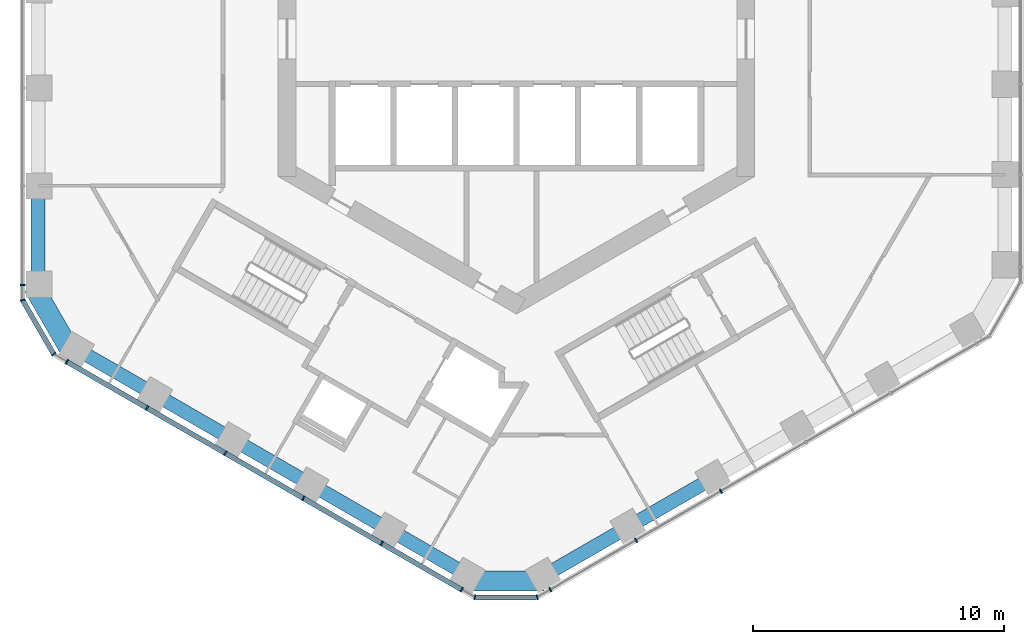
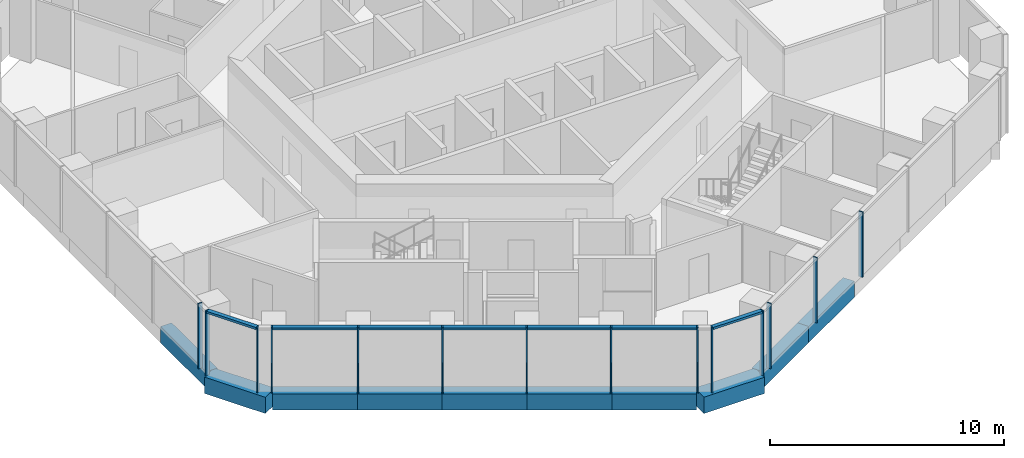
# One storey, part 2 of 19: 17 members, 10 beams, 5 elements without a shape of their own.
"""IFC4 building model written with IfcOpenShell, lengths in metres."""

from ifc_helpers import new_model, si_unit, direction, frame, origin, origin_2d, place, context, subcontext, project, spatial, rectangle, extrude, material, layer, layer_set, material_profile, profile_set, type_object, element, aggregate, save


model = new_model("IFC4")

# Units and contexts
model_context = context("Model", 3, precision=1e-05, world=origin(), true_north=direction((0.0, 1.0)))
body_context = subcontext(model_context, "Body", "Model", "MODEL_VIEW")
ifc_project = project(units=[si_unit("LENGTHUNIT", "METRE"), si_unit("AREAUNIT", "SQUARE_METRE"), si_unit("VOLUMEUNIT", "CUBIC_METRE"), si_unit("PLANEANGLEUNIT", "RADIAN"), si_unit("MASSUNIT", "GRAM", prefix="KILO")], contexts=[model_context])

# Site, building, storey
site_placement = place(None, origin())
site = spatial("IfcSite", under=ifc_project, at=site_placement, CompositionType="ELEMENT")
building_placement = place(site_placement, origin())
building = spatial("IfcBuilding", under=site, at=building_placement, Name="Ayvan Gate Tower", CompositionType="ELEMENT")
storey_placement = place(building_placement, frame((0.0, 0.0, 106.89990234375)))
storey = spatial("IfcBuildingStorey", under=building, at=storey_placement, Name="L28", CompositionType="ELEMENT", Elevation=106.89990234375)

# Beams
ifc_material_1 = material(Name="Concrete C40/50", Category="concrete")
ifc_material_profile_1 = material_profile(ifc_material_1, rectangle(XDim=0.800048828125, YDim=0.85009765625, at=origin_2d()), Name="RC 800x850")
ifc_profile_set_1 = profile_set([ifc_material_profile_1], Name="Concrete C40/50")
beam_type_1 = type_object("IfcBeamType", Name="Corner spandrel beam RC 800x850 C40/50", PredefinedType="BEAM", material=ifc_profile_set_1)
beam_1_placement = place(storey_placement, frame((-19.274169921875, -9.860107421875, -0.77490234375), z_axis=(0.50002537861, -0.866010750942, 0.0), x_axis=(0.866010750942, 0.50002537861, 0.0)))
element("IfcBeam", 1, at=beam_1_placement, inside=storey, type_object=beam_type_1, Name="SB-L28-24", PredefinedType="BEAM", context=body_context, shape_type="SweptSolid", body=[
    extrude(rectangle(XDim=0.800048828125, YDim=0.85009765625, at=origin_2d()), origin(), (0.0, 0.0, 1.0), 2.999755859375),
])
beam_2_placement = place(storey_placement, frame((-1.90185546875, -21.621826171875, -0.77490234375), z_axis=(1.0, 0.0, 0.0), x_axis=(0.0, 1.0, 0.0)))
element("IfcBeam", 2, at=beam_2_placement, inside=storey, type_object=beam_type_1, Name="SB-L28-30", PredefinedType="BEAM", context=body_context, shape_type="SweptSolid", body=[
    extrude(rectangle(XDim=0.800048828125, YDim=0.85009765625, at=origin_2d()), origin(), (0.0, 0.0, 1.0), 3.0),
])
ifc_material_profile_2 = material_profile(ifc_material_1, rectangle(XDim=0.550048828125, YDim=0.85009765625, at=origin_2d()), Name="RC 550x850")
ifc_profile_set_2 = profile_set([ifc_material_profile_2], Name="Concrete C40/50")
beam_type_2 = type_object("IfcBeamType", Name="Spandrel beam RC 550x850 C40/50", PredefinedType="BEAM", material=ifc_profile_set_2)
beam_3_placement = place(storey_placement, frame((-19.083740234375, -5.85009765625, -0.77490234375), z_axis=(0.0, -1.0, 0.0), x_axis=(1.0, 0.0, 0.0)))
element("IfcBeam", 3, at=beam_3_placement, inside=storey, type_object=beam_type_2, Name="SB-L28-23", PredefinedType="BEAM", context=body_context, shape_type="SweptSolid", body=[
    extrude(rectangle(XDim=0.550048828125, YDim=0.85009765625, at=origin_2d()), origin(), (0.0, 0.0, 1.0), 3.89990234375),
])
beam_4_placement = place(storey_placement, frame((-17.583740234375, -12.34814453125, -0.77490234375), z_axis=(0.866031793627, -0.499988932305, 0.0), x_axis=(0.499988932305, 0.866031793627, 0.0)))
element("IfcBeam", 4, at=beam_4_placement, inside=storey, type_object=beam_type_2, Name="SB-L28-25", PredefinedType="BEAM", context=body_context, shape_type="SweptSolid", body=[
    extrude(rectangle(XDim=0.550048828125, YDim=0.85009765625, at=origin_2d()), origin(), (0.0, 0.0, 1.0), 3.62158203125),
])
beam_5_placement = place(storey_placement, frame((-14.447265625, -14.158935546875, -0.77490234375), z_axis=(0.866014940095, -0.500018123204, 0.0), x_axis=(0.500018123204, 0.866014940095, 0.0)))
element("IfcBeam", 5, at=beam_5_placement, inside=storey, type_object=beam_type_2, Name="SB-L28-26", PredefinedType="BEAM", context=body_context, shape_type="SweptSolid", body=[
    extrude(rectangle(XDim=0.550048828125, YDim=0.85009765625, at=origin_2d()), origin(), (0.0, 0.0, 1.0), 3.621337890625),
])
beam_6_placement = place(storey_placement, frame((-11.31103515625, -15.9697265625, -0.77490234375), z_axis=(0.866060982613, -0.499938370597, 0.0), x_axis=(0.499938370597, 0.866060982613, 0.0)))
element("IfcBeam", 6, at=beam_6_placement, inside=storey, type_object=beam_type_2, Name="SB-L28-27", PredefinedType="BEAM", context=body_context, shape_type="SweptSolid", body=[
    extrude(rectangle(XDim=0.550048828125, YDim=0.85009765625, at=origin_2d()), origin(), (0.0, 0.0, 1.0), 3.62158203125),
])
beam_7_placement = place(storey_placement, frame((-8.174560546875, -17.7802734375, -0.77490234375), z_axis=(0.866014940095, -0.500018123204, 0.0), x_axis=(0.500018123204, 0.866014940095, 0.0)))
element("IfcBeam", 7, at=beam_7_placement, inside=storey, type_object=beam_type_2, Name="SB-L28-28", PredefinedType="BEAM", context=body_context, shape_type="SweptSolid", body=[
    extrude(rectangle(XDim=0.550048828125, YDim=0.85009765625, at=origin_2d()), origin(), (0.0, 0.0, 1.0), 3.621337890625),
])
beam_8_placement = place(storey_placement, frame((-5.038330078125, -19.591064453125, -0.77490234375), z_axis=(0.866031793627, -0.499988932305, 0.0), x_axis=(0.499988932305, 0.866031793627, 0.0)))
element("IfcBeam", 8, at=beam_8_placement, inside=storey, type_object=beam_type_2, Name="SB-L28-29", PredefinedType="BEAM", context=body_context, shape_type="SweptSolid", body=[
    extrude(rectangle(XDim=0.550048828125, YDim=0.85009765625, at=origin_2d()), origin(), (0.0, 0.0, 1.0), 3.62158203125),
])
for number, where, z_axis, x_axis, name in (
    (9, (1.09814453125, -21.40185546875, -0.77490234375), (0.866027128446, 0.499997012787, 0.0), (-0.499997012787, 0.866027128446, 0.0), "SB-L28-31"),
    (10, (4.4755859375, -19.451904296875, -0.77490234375), (0.866027128446, 0.499997012787, 0.0), (-0.499997012787, 0.866027128446, 0.0), "SB-L28-32"),
):
    element("IfcBeam", number, at=place(storey_placement, frame(where, z_axis=z_axis, x_axis=x_axis)), inside=storey, type_object=beam_type_2, Name=name, PredefinedType="BEAM", context=body_context, shape_type="SweptSolid", body=[
        extrude(rectangle(XDim=0.550048828125, YDim=0.85009765625, at=origin_2d()), origin(), (0.0, 0.0, 1.0), 3.89990234375),
    ])

# Curtain wall, member
ifc_material_2 = material(Name="Bronze anodised aluminium", Category="aluminium")
ifc_layer_1 = layer(ifc_material_2, 0.199951171875)
ifc_layer_set_1 = layer_set([ifc_layer_1], Name="Bronze anodised aluminium")
curtain_wall_type_1 = type_object("IfcCurtainWallType", Name="Stick curtain wall CW-1", PredefinedType="NOTDEFINED", material=ifc_layer_set_1)
curtain_wall_1_placement = place(storey_placement, origin())
curtain_wall_1 = element("IfcCurtainWall", 11, at=curtain_wall_1_placement, inside=storey, type_object=curtain_wall_type_1, Name="Stick curtain wall CW-1 L28", PredefinedType="NOTDEFINED")
ifc_material_profile_3 = material_profile(ifc_material_2, rectangle(XDim=0.199951171875, YDim=0.06005859375, at=origin_2d()), Name="Stick curtain wall CW-1 mullion 200 x 60")
ifc_profile_set_3 = profile_set([ifc_material_profile_3], Name="Bronze anodised aluminium")
member_type_1 = type_object("IfcMemberType", Name="Stick curtain wall CW-1 mullion 200 x 60", PredefinedType="MULLION", material=ifc_profile_set_3)
member_1_placement = place(storey_placement, frame((-19.695068359375, -9.81005859375, 0.0), z_axis=(0.0, 0.0, 1.0), x_axis=(-1.0, 0.0, 0.0)))
member_1 = element("IfcMember", 12, at=member_1_placement, type_object=member_type_1, Name="CW-1 mullion 6", PredefinedType="MULLION", context=body_context, shape_type="SweptSolid", body=[
    extrude(rectangle(XDim=0.199951171875, YDim=0.06005859375, at=origin_2d()), origin(), (0.0, 0.0, 1.0), 3.400146484375),
])
aggregate(curtain_wall_1, [member_1])

# Curtain wall, members
curtain_wall_2_placement = place(storey_placement, origin())
curtain_wall_2 = element("IfcCurtainWall", 13, at=curtain_wall_2_placement, inside=storey, type_object=curtain_wall_type_1, Name="Stick curtain wall CW-1 L28", PredefinedType="NOTDEFINED")
member_2_placement = place(storey_placement, frame((-17.927978515625, -12.87109375, 0.0), z_axis=(0.0, 0.0, 1.0), x_axis=(-0.5, -0.866025403784, 0.0)))
member_2 = element("IfcMember", 14, at=member_2_placement, type_object=member_type_1, Name="CW-1 mullion 1", PredefinedType="MULLION", context=body_context, shape_type="SweptSolid", body=[
    extrude(rectangle(XDim=0.199951171875, YDim=0.06005859375, at=origin_2d()), origin(), (0.0, 0.0, 1.0), 3.400146484375),
])
member_3_placement = place(storey_placement, frame((-14.734130859375, -14.715087890625, 0.0), z_axis=(0.0, 0.0, 1.0), x_axis=(-0.5, -0.866025403784, 0.0)))
member_3 = element("IfcMember", 15, at=member_3_placement, type_object=member_type_1, Name="CW-1 mullion 2", PredefinedType="MULLION", context=body_context, shape_type="SweptSolid", body=[
    extrude(rectangle(XDim=0.199951171875, YDim=0.06005859375, at=origin_2d()), origin(), (0.0, 0.0, 1.0), 3.400146484375),
])
member_4_placement = place(storey_placement, frame((-11.614501953125, -16.51611328125, 0.0), z_axis=(0.0, 0.0, 1.0), x_axis=(-0.5, -0.866025403784, 0.0)))
member_4 = element("IfcMember", 16, at=member_4_placement, type_object=member_type_1, Name="CW-1 mullion 3", PredefinedType="MULLION", context=body_context, shape_type="SweptSolid", body=[
    extrude(rectangle(XDim=0.199951171875, YDim=0.06005859375, at=origin_2d()), origin(), (0.0, 0.0, 1.0), 3.400146484375),
])
member_5_placement = place(storey_placement, frame((-8.49609375, -18.31640625, 0.0), z_axis=(0.0, 0.0, 1.0), x_axis=(-0.5, -0.866025403784, 0.0)))
member_5 = element("IfcMember", 17, at=member_5_placement, type_object=member_type_1, Name="CW-1 mullion 4", PredefinedType="MULLION", context=body_context, shape_type="SweptSolid", body=[
    extrude(rectangle(XDim=0.199951171875, YDim=0.06005859375, at=origin_2d()), origin(), (0.0, 0.0, 1.0), 3.400146484375),
])
member_6_placement = place(storey_placement, frame((-5.376708984375, -20.117431640625, 0.0), z_axis=(0.0, 0.0, 1.0), x_axis=(-0.5, -0.866025403784, 0.0)))
member_6 = element("IfcMember", 18, at=member_6_placement, type_object=member_type_1, Name="CW-1 mullion 5", PredefinedType="MULLION", context=body_context, shape_type="SweptSolid", body=[
    extrude(rectangle(XDim=0.199951171875, YDim=0.06005859375, at=origin_2d()), origin(), (0.0, 0.0, 1.0), 3.400146484375),
])
member_7_placement = place(storey_placement, frame((-2.1826171875, -21.96142578125, 0.0), z_axis=(0.0, 0.0, 1.0), x_axis=(-0.5, -0.866025403784, 0.0)))
member_7 = element("IfcMember", 19, at=member_7_placement, type_object=member_type_1, Name="CW-1 mullion 6", PredefinedType="MULLION", context=body_context, shape_type="SweptSolid", body=[
    extrude(rectangle(XDim=0.199951171875, YDim=0.06005859375, at=origin_2d()), origin(), (0.0, 0.0, 1.0), 3.400146484375),
])

curtain_wall_3_placement = place(storey_placement, origin())
curtain_wall_3 = element("IfcCurtainWall", 20, at=curtain_wall_3_placement, inside=storey, type_object=curtain_wall_type_1, Name="Stick curtain wall CW-1 L28", PredefinedType="NOTDEFINED")
member_8_placement = place(storey_placement, frame((1.351806640625, -21.96142578125, 0.0), z_axis=(0.0, 0.0, 1.0), x_axis=(0.5, -0.866025403784, 0.0)))
member_8 = element("IfcMember", 21, at=member_8_placement, type_object=member_type_1, Name="CW-1 mullion 1", PredefinedType="MULLION", context=body_context, shape_type="SweptSolid", body=[
    extrude(rectangle(XDim=0.199951171875, YDim=0.06005859375, at=origin_2d()), origin(), (0.0, 0.0, 1.0), 3.400146484375),
])
member_9_placement = place(storey_placement, frame((4.768310546875, -19.989013671875, 0.0), z_axis=(0.0, 0.0, 1.0), x_axis=(0.5, -0.866025403784, 0.0)))
member_9 = element("IfcMember", 22, at=member_9_placement, type_object=member_type_1, Name="CW-1 mullion 2", PredefinedType="MULLION", context=body_context, shape_type="SweptSolid", body=[
    extrude(rectangle(XDim=0.199951171875, YDim=0.06005859375, at=origin_2d()), origin(), (0.0, 0.0, 1.0), 3.400146484375),
])
member_10_placement = place(storey_placement, frame((8.154541015625, -18.033935546875, 0.0), z_axis=(0.0, 0.0, 1.0), x_axis=(0.5, -0.866025403784, 0.0)))
member_10 = element("IfcMember", 23, at=member_10_placement, type_object=member_type_1, Name="CW-1 mullion 3", PredefinedType="MULLION", context=body_context, shape_type="SweptSolid", body=[
    extrude(rectangle(XDim=0.199951171875, YDim=0.06005859375, at=origin_2d()), origin(), (0.0, 0.0, 1.0), 3.400146484375),
])
aggregate(curtain_wall_3, [member_8, member_9, member_10])

# Member
ifc_material_profile_4 = material_profile(ifc_material_2, rectangle(XDim=0.199951171875, YDim=0.1201171875, at=origin_2d()), Name="Stick curtain wall CW-1 transom 200 x 120")
ifc_profile_set_4 = profile_set([ifc_material_profile_4], Name="Bronze anodised aluminium")
member_type_2 = type_object("IfcMemberType", Name="Stick curtain wall CW-1 transom 200 x 120", PredefinedType="USERDEFINED", material=ifc_profile_set_4)
member_11_placement = place(storey_placement, frame((-17.927978515625, -12.87109375, 3.340087890625), z_axis=(0.866031514373, -0.499989416001, 0.0), x_axis=(0.499989416001, 0.866031514373, 0.0)))
member_11 = element("IfcMember", 24, at=member_11_placement, type_object=member_type_2, Name="CW-1 transom 1", ObjectType="TRANSOM", PredefinedType="USERDEFINED", context=body_context, shape_type="SweptSolid", body=[
    extrude(rectangle(XDim=0.199951171875, YDim=0.1201171875, at=origin_2d()), origin(), (0.0, 0.0, 1.0), 18.18115234375),
])

aggregate(curtain_wall_2, [member_2, member_3, member_4, member_5, member_6, member_7, member_11])

# Curtain wall, members
ifc_layer_2 = layer(ifc_material_2, 0.199951171875)
ifc_layer_set_2 = layer_set([ifc_layer_2], Name="Bronze anodised aluminium")
curtain_wall_type_2 = type_object("IfcCurtainWallType", Name="Stick curtain wall CW-6", PredefinedType="NOTDEFINED", material=ifc_layer_set_2)
curtain_wall_4_placement = place(storey_placement, origin())
curtain_wall_4 = element("IfcCurtainWall", 25, at=curtain_wall_4_placement, inside=storey, type_object=curtain_wall_type_2, Name="Stick curtain wall CW-6 L28", PredefinedType="NOTDEFINED")
ifc_material_profile_5 = material_profile(ifc_material_2, rectangle(XDim=0.199951171875, YDim=0.050048828125, at=origin_2d()), Name="Stick curtain wall CW-6 mullion 200 x 50")
ifc_profile_set_5 = profile_set([ifc_material_profile_5], Name="Bronze anodised aluminium")
member_type_3 = type_object("IfcMemberType", Name="Stick curtain wall CW-6 mullion 200 x 50", PredefinedType="MULLION", material=ifc_profile_set_5)
member_12_placement = place(storey_placement, frame((-19.695068359375, -10.4150390625, 0.0), z_axis=(0.0, 0.0, 1.0), x_axis=(-0.965925826289, -0.258819045103, 0.0)))
member_12 = element("IfcMember", 26, at=member_12_placement, type_object=member_type_3, Name="CW-6 mullion 2", PredefinedType="MULLION", context=body_context, shape_type="SweptSolid", body=[
    extrude(rectangle(XDim=0.199951171875, YDim=0.050048828125, at=origin_2d()), origin(), (0.0, 0.0, 1.0), 3.400146484375),
])
member_13_placement = place(storey_placement, frame((-18.451904296875, -12.568603515625, 0.0), z_axis=(0.0, 0.0, 1.0), x_axis=(-0.707106781187, -0.707106781187, 0.0)))
member_13 = element("IfcMember", 27, at=member_13_placement, type_object=member_type_3, Name="CW-6 mullion 3", PredefinedType="MULLION", context=body_context, shape_type="SweptSolid", body=[
    extrude(rectangle(XDim=0.199951171875, YDim=0.050048828125, at=origin_2d()), origin(), (0.0, 0.0, 1.0), 3.400146484375),
])

curtain_wall_5_placement = place(storey_placement, origin())
curtain_wall_5 = element("IfcCurtainWall", 28, at=curtain_wall_5_placement, inside=storey, type_object=curtain_wall_type_2, Name="Stick curtain wall CW-6 L28", PredefinedType="NOTDEFINED")
member_14_placement = place(storey_placement, frame((-1.65869140625, -22.263916015625, 0.0), z_axis=(0.0, 0.0, 1.0), x_axis=(-0.258819045103, -0.965925826289, 0.0)))
member_14 = element("IfcMember", 29, at=member_14_placement, type_object=member_type_3, Name="CW-6 mullion 2", PredefinedType="MULLION", context=body_context, shape_type="SweptSolid", body=[
    extrude(rectangle(XDim=0.199951171875, YDim=0.050048828125, at=origin_2d()), origin(), (0.0, 0.0, 1.0), 3.400146484375),
])
member_15_placement = place(storey_placement, frame((0.827880859375, -22.263916015625, 0.0), z_axis=(0.0, 0.0, 1.0), x_axis=(0.258819045103, -0.965925826289, 0.0)))
member_15 = element("IfcMember", 30, at=member_15_placement, type_object=member_type_3, Name="CW-6 mullion 3", PredefinedType="MULLION", context=body_context, shape_type="SweptSolid", body=[
    extrude(rectangle(XDim=0.199951171875, YDim=0.050048828125, at=origin_2d()), origin(), (0.0, 0.0, 1.0), 3.400146484375),
])

# Member
ifc_material_profile_6 = material_profile(ifc_material_2, rectangle(XDim=0.199951171875, YDim=0.1201171875, at=origin_2d()), Name="Stick curtain wall CW-6 transom 200 x 120")
ifc_profile_set_6 = profile_set([ifc_material_profile_6], Name="Bronze anodised aluminium")
member_type_4 = type_object("IfcMemberType", Name="Stick curtain wall CW-6 transom 200 x 120", PredefinedType="USERDEFINED", material=ifc_profile_set_6)
member_16_placement = place(storey_placement, frame((-19.6826171875, -10.436767578125, 3.340087890625), z_axis=(0.499997116, -0.866027068856, 0.0), x_axis=(0.866027068856, 0.499997116, 0.0)))
member_16 = element("IfcMember", 31, at=member_16_placement, type_object=member_type_4, Name="CW-6 transom 2", ObjectType="TRANSOM", PredefinedType="USERDEFINED", context=body_context, shape_type="SweptSolid", body=[
    extrude(rectangle(XDim=0.199951171875, YDim=0.1201171875, at=origin_2d()), origin(), (0.0, 0.0, 1.0), 2.4365234375),
])

aggregate(curtain_wall_4, [member_12, member_13, member_16])

member_17_placement = place(storey_placement, frame((-1.6337890625, -22.263916015625, 3.340087890625), z_axis=(1.0, 0.0, 0.0), x_axis=(0.0, 1.0, 0.0)))
member_17 = element("IfcMember", 32, at=member_17_placement, type_object=member_type_4, Name="CW-6 transom 2", ObjectType="TRANSOM", PredefinedType="USERDEFINED", context=body_context, shape_type="SweptSolid", body=[
    extrude(rectangle(XDim=0.199951171875, YDim=0.1201171875, at=origin_2d()), origin(), (0.0, 0.0, 1.0), 2.4365234375),
])

aggregate(curtain_wall_5, [member_14, member_15, member_17])

save(model, "model.ifc")
